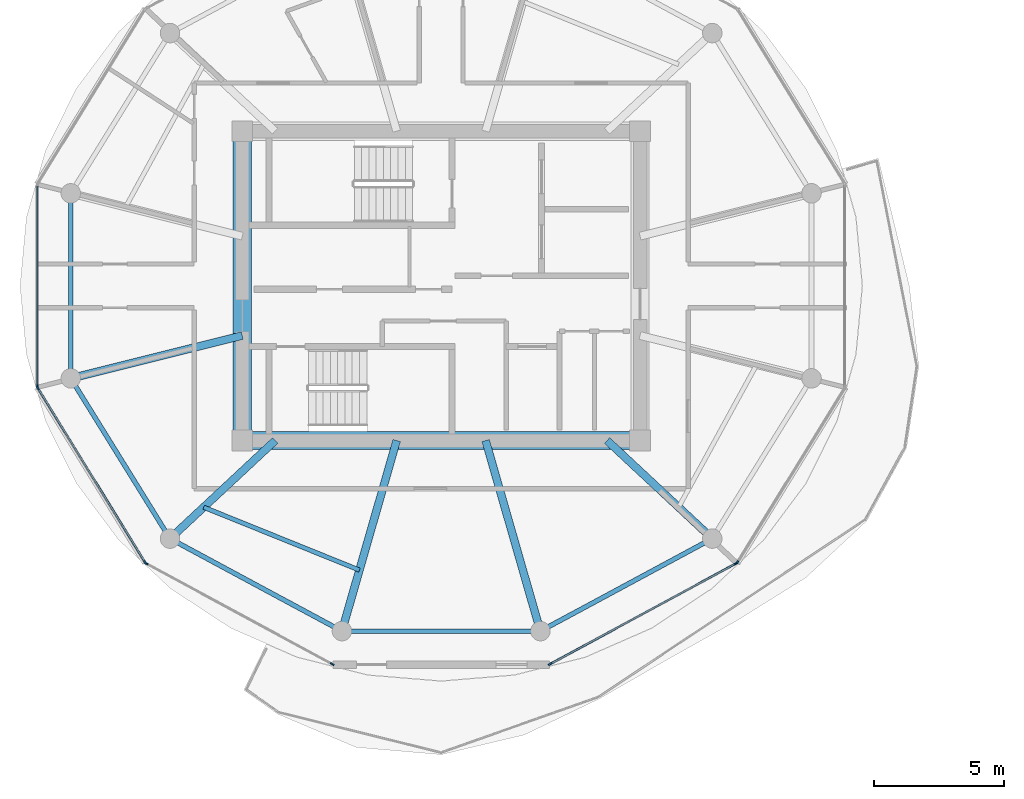
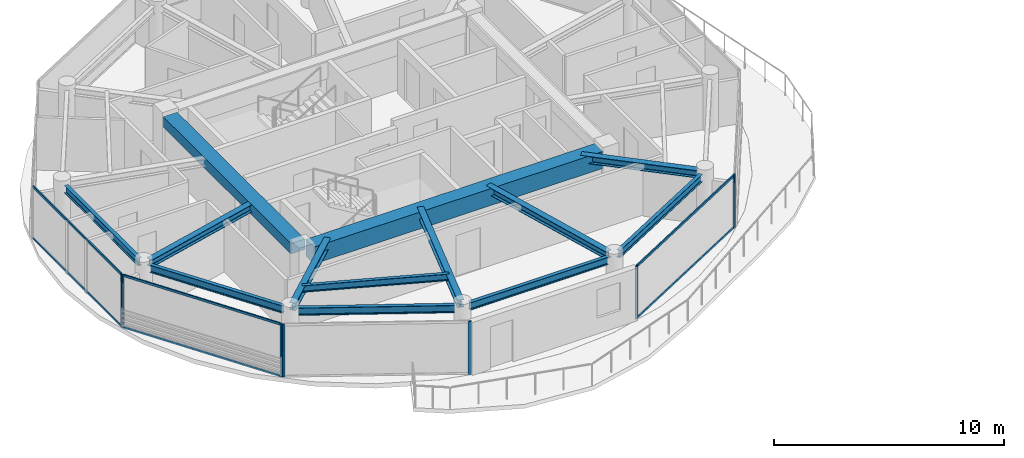
# One storey, part 2 of 19: 14 members, 13 beams, 5 elements without a shape of their own.
"""IFC4 building model written with IfcOpenShell, lengths in metres."""

from ifc_helpers import new_model, si_unit, direction, frame, origin, origin_2d, place, context, subcontext, project, spatial, rectangle, i_section, extrude, source, transform, mapped, material, layer, layer_set, material_profile, profile_set, type_object, type_shapes, element, aggregate, save


model = new_model("IFC4")

# Units and contexts
model_context = context("Model", 3, precision=1e-05, world=origin(), true_north=direction((0.0, 1.0)))
body_context = subcontext(model_context, "Body", "Model", "MODEL_VIEW")
ifc_project = project(units=[si_unit("LENGTHUNIT", "METRE"), si_unit("AREAUNIT", "SQUARE_METRE"), si_unit("VOLUMEUNIT", "CUBIC_METRE"), si_unit("PLANEANGLEUNIT", "RADIAN"), si_unit("MASSUNIT", "GRAM", prefix="KILO")], contexts=[model_context])

# Site, building, storey
site_placement = place(None, origin())
site = spatial("IfcSite", under=ifc_project, at=site_placement, CompositionType="ELEMENT")
building_placement = place(site_placement, origin())
building = spatial("IfcBuilding", under=site, at=building_placement, Name="Norrkilde Senior Care Towers", CompositionType="ELEMENT")
storey_placement = place(building_placement, frame((0.0, 0.0, 238.300048828125)))
storey = spatial("IfcBuildingStorey", under=building, at=storey_placement, Name="L74", CompositionType="ELEMENT", Elevation=238.300048828125)

# Beams
ifc_material_1 = material(Name="Concrete C60/75", Category="concrete")
ifc_material_profile_1 = material_profile(ifc_material_1, rectangle(XDim=0.699951171875, YDim=0.89990234375, at=origin_2d()), Name="RC BM 700x900")
ifc_profile_set_1 = profile_set([ifc_material_profile_1], Name="Concrete C60/75")
beam_type_1 = type_object("IfcBeamType", Name="Core Coupling Girder 700x900", PredefinedType="USERDEFINED", material=ifc_profile_set_1)
shared_shape_1 = source(origin(), body_context, "Body", "SweptSolid", [
    extrude(rectangle(XDim=0.699951171875, YDim=0.89990234375, at=origin_2d()), origin(), (0.0, 0.0, 1.0), 14.5400390625),
])
type_shapes(beam_type_1, [shared_shape_1])
beam_1_placement = place(storey_placement, frame((-35.27001953125, -5.949951171875, 2.35986328125), z_axis=(1.0, 0.0, 0.0), x_axis=(0.0, 1.0, 0.0)))
element("IfcBeam", 1, at=beam_1_placement, inside=storey, type_object=beam_type_1, Name="L74 Core W S Coupling Girder", ObjectType="GIRDER", PredefinedType="USERDEFINED", context=body_context, shape_type="MappedRepresentation", body=[
    mapped(shared_shape_1, transform((0.0, 0.0, 0.0), x_axis=(1.0, 0.0, 0.0), y_axis=(0.0, 1.0, 0.0), z_axis=(0.0, 0.0, 1.0), scale=1.0)),
])
ifc_material_profile_2 = material_profile(ifc_material_1, rectangle(XDim=0.699951171875, YDim=0.550048828125, at=origin_2d()), Name="RC BM 700x550")
ifc_profile_set_2 = profile_set([ifc_material_profile_2], Name="Concrete C60/75")
beam_type_2 = type_object("IfcBeamType", Name="Core Portal Coupling Beam 700x550", PredefinedType="USERDEFINED", material=ifc_profile_set_2)
shared_shape_2 = source(origin(), body_context, "Body", "SweptSolid", [
    extrude(rectangle(XDim=0.699951171875, YDim=0.550048828125, at=origin_2d()), origin(), (0.0, 0.0, 1.0), 11.14013671875),
])
type_shapes(beam_type_2, [shared_shape_2])
beam_2_placement = place(storey_placement, frame((-35.64990234375, -5.570068359375, 2.534912109375), z_axis=(0.0, 1.0, 0.0), x_axis=(-1.0, 0.0, 0.0)))
element("IfcBeam", 2, at=beam_2_placement, inside=storey, type_object=beam_type_2, Name="L74 Core W W Coupling Girder", ObjectType="GIRDER", PredefinedType="USERDEFINED", context=body_context, shape_type="MappedRepresentation", body=[
    mapped(shared_shape_2, transform((0.0, 0.0, 0.0), x_axis=(1.0, 0.0, 0.0), y_axis=(0.0, 1.0, 0.0), z_axis=(0.0, 0.0, 1.0), scale=1.0)),
])
ifc_material_2 = material(Name="Steel S355", Category="steel")
ifc_material_profile_3 = material_profile(ifc_material_2, i_section(OverallWidth=0.179931640625, OverallDepth=0.39990234375, WebThickness=0.008544921875, FlangeThickness=0.013427734375, FilletRadius=0.02099609375, at=origin_2d()), Name="IPE 400")
ifc_profile_set_3 = profile_set([ifc_material_profile_3], Name="Steel S355")
beam_type_3 = type_object("IfcBeamType", Name="Perimeter Ring Spandrel Z4 IPE400", PredefinedType="SPANDREL", material=ifc_profile_set_3)
shared_shape_3 = source(origin(), body_context, "Body", "SweptSolid", [
    extrude(i_section(OverallWidth=0.179931640625, OverallDepth=0.39990234375, WebThickness=0.008544921875, FlangeThickness=0.013427734375, FilletRadius=0.02099609375, at=origin_2d()), origin(), (0.0, 0.0, 1.0), 6.58056640625),
])
beam_3_placement = place(storey_placement, frame((-42.071044921875, -3.843505859375, 2.60986328125), z_axis=(0.526529583789, -0.850156807533, 0.0), x_axis=(0.850156807533, 0.526529583789, 0.0)))
element("IfcBeam", 3, at=beam_3_placement, inside=storey, type_object=beam_type_3, Name="L74 Drum W Perimeter Spandrel 07", PredefinedType="SPANDREL", context=body_context, shape_type="MappedRepresentation", body=[
    mapped(shared_shape_3, transform((0.0, 0.0, 0.0), x_axis=(1.0, 0.0, 0.0), y_axis=(0.0, 1.0, 0.0), z_axis=(0.0, 0.0, 1.0), scale=1.0)),
])
ifc_material_profile_4 = material_profile(ifc_material_2, i_section(OverallWidth=0.300048828125, OverallDepth=0.39990234375, WebThickness=0.013427734375, FlangeThickness=0.02392578125, FilletRadius=0.027099609375, at=origin_2d()), Name="HEB 400")
ifc_profile_set_4 = profile_set([ifc_material_profile_4], Name="Steel S355")
beam_type_4 = type_object("IfcBeamType", Name="Radial Floor Beam Z4 HEB400", PredefinedType="BEAM", material=ifc_profile_set_4)
shared_shape_4 = source(origin(), body_context, "Body", "SweptSolid", [
    extrude(i_section(OverallWidth=0.300048828125, OverallDepth=0.39990234375, WebThickness=0.013427734375, FlangeThickness=0.02392578125, FilletRadius=0.027099609375, at=origin_2d()), origin(), (0.0, 0.0, 1.0), 6.465087890625),
])
beam_4_placement = place(storey_placement, frame((-35.64990234375, -1.910888671875, 2.60986328125), z_axis=(-0.970195788563, -0.242322371758, 0.0), x_axis=(0.242322371758, -0.970195788563, 0.0)))
element("IfcBeam", 4, at=beam_4_placement, inside=storey, type_object=beam_type_4, Name="L74 Drum W Radial Floor Beam 07", PredefinedType="BEAM", context=body_context, shape_type="MappedRepresentation", body=[
    mapped(shared_shape_4, transform((0.0, 0.0, 0.0), x_axis=(1.0, 0.0, 0.0), y_axis=(0.0, 1.0, 0.0), z_axis=(0.0, 0.0, 1.0), scale=1.0)),
])
shared_shape_5 = source(origin(), body_context, "Body", "SweptSolid", [
    extrude(i_section(OverallWidth=0.179931640625, OverallDepth=0.39990234375, WebThickness=0.008544921875, FlangeThickness=0.013427734375, FilletRadius=0.02099609375, at=origin_2d()), origin(), (0.0, 0.0, 1.0), 6.839111328125),
])
for number, where, z_axis, x_axis, name in (
    (5, (-38.134765625, -9.881591796875, 2.60986328125), (0.880563930732, -0.473927382511, 0.0), (0.473927382511, 0.880563930732, 0.0), "L74 Drum W Perimeter Spandrel 08"),
    (6, (-23.887451171875, -13.122802734375, 2.60986328125), (0.880563930732, 0.473927382511, 0.0), (-0.473927382511, 0.880563930732, 0.0), "L74 Drum W Perimeter Spandrel 10"),
):
    element("IfcBeam", number, at=place(storey_placement, frame(where, z_axis=z_axis, x_axis=x_axis)), inside=storey, type_object=beam_type_3, Name=name, PredefinedType="SPANDREL", context=body_context, shape_type="MappedRepresentation", body=[
        mapped(shared_shape_5, transform((0.0, 0.0, 0.0), x_axis=(1.0, 0.0, 0.0), y_axis=(0.0, 1.0, 0.0), z_axis=(0.0, 0.0, 1.0), scale=1.0)),
    ])
shared_shape_6 = source(origin(), body_context, "Body", "SweptSolid", [
    extrude(i_section(OverallWidth=0.300048828125, OverallDepth=0.39990234375, WebThickness=0.013427734375, FlangeThickness=0.02392578125, FilletRadius=0.027099609375, at=origin_2d()), origin(), (0.0, 0.0, 1.0), 5.197998046875),
])
for number, where, z_axis, x_axis, name in (
    (7, (-34.3828125, -5.949951171875, 2.60986328125), (-0.731448749334, -0.681896419625, 0.0), (0.681896419625, -0.731448749334, 0.0), "L74 Drum W Radial Floor Beam 08"),
    (8, (-21.6171875, -5.949951171875, 2.60986328125), (0.731448749334, -0.681896419625, 0.0), (0.681896419625, 0.731448749334, 0.0), "L74 Drum W Radial Floor Beam 11"),
):
    element("IfcBeam", number, at=place(storey_placement, frame(where, z_axis=z_axis, x_axis=x_axis)), inside=storey, type_object=beam_type_4, Name=name, PredefinedType="BEAM", context=body_context, shape_type="MappedRepresentation", body=[
        mapped(shared_shape_6, transform((0.0, 0.0, 0.0), x_axis=(1.0, 0.0, 0.0), y_axis=(0.0, 1.0, 0.0), z_axis=(0.0, 0.0, 1.0), scale=1.0)),
    ])
shared_shape_7 = source(origin(), body_context, "Body", "SweptSolid", [
    extrude(i_section(OverallWidth=0.179931640625, OverallDepth=0.39990234375, WebThickness=0.008544921875, FlangeThickness=0.013427734375, FilletRadius=0.02099609375, at=origin_2d()), origin(), (0.0, 0.0, 1.0), 6.96533203125),
])
beam_5_placement = place(storey_placement, frame((-31.482666015625, -13.281494140625, 2.60986328125), z_axis=(1.0, 0.0, 0.0), x_axis=(0.0, 1.0, 0.0)))
element("IfcBeam", 9, at=beam_5_placement, inside=storey, type_object=beam_type_3, Name="L74 Drum W Perimeter Spandrel 09", PredefinedType="SPANDREL", context=body_context, shape_type="MappedRepresentation", body=[
    mapped(shared_shape_7, transform((0.0, 0.0, 0.0), x_axis=(1.0, 0.0, 0.0), y_axis=(0.0, 1.0, 0.0), z_axis=(0.0, 0.0, 1.0), scale=1.0)),
])
shared_shape_8 = source(origin(), body_context, "Body", "SweptSolid", [
    extrude(i_section(OverallWidth=0.300048828125, OverallDepth=0.39990234375, WebThickness=0.013427734375, FlangeThickness=0.02392578125, FilletRadius=0.027099609375, at=origin_2d()), origin(), (0.0, 0.0, 1.0), 7.29345703125),
])
type_shapes(beam_type_4, [shared_shape_4, shared_shape_6, shared_shape_8])
for number, where, z_axis, x_axis, name in (
    (10, (-29.710205078125, -5.949951171875, 2.60986328125), (-0.276263751906, -0.961081858836, 0.0), (0.961081858836, -0.276263751906, 0.0), "L74 Drum W Radial Floor Beam 09"),
    (11, (-26.289794921875, -5.949951171875, 2.60986328125), (0.276263751906, -0.961081858836, 0.0), (0.961081858836, 0.276263751906, 0.0), "L74 Drum W Radial Floor Beam 10"),
):
    element("IfcBeam", number, at=place(storey_placement, frame(where, z_axis=z_axis, x_axis=x_axis)), inside=storey, type_object=beam_type_4, Name=name, PredefinedType="BEAM", context=body_context, shape_type="MappedRepresentation", body=[
        mapped(shared_shape_8, transform((0.0, 0.0, 0.0), x_axis=(1.0, 0.0, 0.0), y_axis=(0.0, 1.0, 0.0), z_axis=(0.0, 0.0, 1.0), scale=1.0)),
    ])
shared_shape_9 = source(origin(), body_context, "Body", "SweptSolid", [
    extrude(i_section(OverallWidth=0.179931640625, OverallDepth=0.39990234375, WebThickness=0.008544921875, FlangeThickness=0.013427734375, FilletRadius=0.02099609375, at=origin_2d()), origin(), (0.0, 0.0, 1.0), 6.44775390625),
])
type_shapes(beam_type_3, [shared_shape_3, shared_shape_5, shared_shape_7, shared_shape_9])
beam_6_placement = place(storey_placement, frame((-42.247314453125, 3.223876953125, 2.60986328125), z_axis=(0.0, -1.0, 0.0), x_axis=(1.0, 0.0, 0.0)))
element("IfcBeam", 12, at=beam_6_placement, inside=storey, type_object=beam_type_3, Name="L74 Drum W Perimeter Spandrel 06", PredefinedType="SPANDREL", context=body_context, shape_type="MappedRepresentation", body=[
    mapped(shared_shape_9, transform((0.0, 0.0, 0.0), x_axis=(1.0, 0.0, 0.0), y_axis=(0.0, 1.0, 0.0), z_axis=(0.0, 0.0, 1.0), scale=1.0)),
])
ifc_material_profile_5 = material_profile(ifc_material_2, i_section(OverallWidth=0.169921875, OverallDepth=0.360107421875, WebThickness=0.008056640625, FlangeThickness=0.0126953125, FilletRadius=0.01806640625, at=origin_2d()), Name="IPE 360")
ifc_profile_set_5 = profile_set([ifc_material_profile_5], Name="Steel S355")
beam_type_5 = type_object("IfcBeamType", Name="Secondary Floor Joist IPE360", PredefinedType="JOIST", material=ifc_profile_set_5)
shared_shape_10 = source(origin(), body_context, "Body", "SweptSolid", [
    extrude(i_section(OverallWidth=0.169921875, OverallDepth=0.360107421875, WebThickness=0.008056640625, FlangeThickness=0.0126953125, FilletRadius=0.01806640625, at=origin_2d()), origin(), (0.0, 0.0, 1.0), 6.461669921875),
])
type_shapes(beam_type_5, [shared_shape_10])
beam_7_placement = place(storey_placement, frame((-37.134765625, -8.515380859375, 2.6298828125), z_axis=(0.927225942298, -0.374502405772, 0.0), x_axis=(0.374502405772, 0.927225942298, 0.0)))
element("IfcBeam", 13, at=beam_7_placement, inside=storey, type_object=beam_type_5, Name="L74 Drum W Secondary Floor Joist 3", PredefinedType="JOIST", context=body_context, shape_type="MappedRepresentation", body=[
    mapped(shared_shape_10, transform((0.0, 0.0, 0.0), x_axis=(1.0, 0.0, 0.0), y_axis=(0.0, 1.0, 0.0), z_axis=(0.0, 0.0, 1.0), scale=1.0)),
])

# Curtain wall, member
ifc_material_3 = material(Name="Triple Low-E Insulated Glazing", Category="glass")
ifc_layer = layer(ifc_material_3, 0.18505859375)
ifc_layer_set = layer_set([ifc_layer], Name="Triple Low-E Insulated Glazing")
curtain_wall_type = type_object("IfcCurtainWallType", Name="CW6 Zone 4 Crown Pavilion Curtain Wall", PredefinedType="NOTDEFINED", material=ifc_layer_set)
curtain_wall_1_placement = place(storey_placement, origin())
curtain_wall_1 = element("IfcCurtainWall", 14, at=curtain_wall_1_placement, inside=storey, type_object=curtain_wall_type, Name="L74 Drum W Curtain Wall 05", PredefinedType="NOTDEFINED")
ifc_material_4 = material(Name="Anodised Aluminium", Category="aluminium")
ifc_material_profile_6 = material_profile(ifc_material_4, rectangle(XDim=0.06494140625, YDim=0.14990234375, at=origin_2d()), Name="ALU MULL 65x150")
ifc_profile_set_6 = profile_set([ifc_material_profile_6], Name="Anodised Aluminium")
member_type_1 = type_object("IfcMemberType", Name="Curtain Wall Mullion Z3-Z4 65x150", PredefinedType="MULLION", material=ifc_profile_set_6)
shared_shape_11 = source(origin(), body_context, "Body", "SweptSolid", [
    extrude(rectangle(XDim=0.06494140625, YDim=0.14990234375, at=origin_2d()), origin(), (0.0, 0.0, 1.0), 2.81005859375),
])
type_shapes(member_type_1, [shared_shape_11])
member_1_placement = place(storey_placement, frame((-43.531982421875, -3.87060546875, 0.0), z_axis=(0.0, 0.0, 1.0), x_axis=(-1.0, 0.0, 0.0)))
member_1 = element("IfcMember", 15, at=member_1_placement, type_object=member_type_1, Name="CW-6 mullion 1", PredefinedType="MULLION", context=body_context, shape_type="MappedRepresentation", body=[
    mapped(shared_shape_11, transform((0.0, 0.0, 0.0), x_axis=(1.0, 0.0, 0.0), y_axis=(0.0, 1.0, 0.0), z_axis=(0.0, 0.0, 1.0), scale=1.0)),
])

# Curtain wall, members
curtain_wall_2_placement = place(storey_placement, origin())
curtain_wall_2 = element("IfcCurtainWall", 16, at=curtain_wall_2_placement, inside=storey, type_object=curtain_wall_type, Name="L74 Drum W Curtain Wall 06", PredefinedType="NOTDEFINED")
member_2_placement = place(storey_placement, frame((-39.38720703125, -10.635498046875, 0.0), z_axis=(0.0, 0.0, 1.0), x_axis=(-0.851562727283, -0.524252726748, 0.0)))
member_2 = element("IfcMember", 17, at=member_2_placement, type_object=member_type_1, Name="CW-6 mullion 1", PredefinedType="MULLION", context=body_context, shape_type="MappedRepresentation", body=[
    mapped(shared_shape_11, transform((0.0, 0.0, 0.0), x_axis=(1.0, 0.0, 0.0), y_axis=(0.0, 1.0, 0.0), z_axis=(0.0, 0.0, 1.0), scale=1.0)),
])
member_3_placement = place(storey_placement, frame((-43.51513671875, -3.9306640625, 0.0), z_axis=(0.0, 0.0, 1.0), x_axis=(-0.851562727283, -0.524252726748, 0.0)))
member_3 = element("IfcMember", 18, at=member_3_placement, type_object=member_type_1, Name="CW-6 mullion 2", PredefinedType="MULLION", context=body_context, shape_type="MappedRepresentation", body=[
    mapped(shared_shape_11, transform((0.0, 0.0, 0.0), x_axis=(1.0, 0.0, 0.0), y_axis=(0.0, 1.0, 0.0), z_axis=(0.0, 0.0, 1.0), scale=1.0)),
])

curtain_wall_3_placement = place(storey_placement, origin())
curtain_wall_3 = element("IfcCurtainWall", 19, at=curtain_wall_3_placement, inside=storey, type_object=curtain_wall_type, Name="L74 Drum W Curtain Wall 07", PredefinedType="NOTDEFINED")
member_4_placement = place(storey_placement, frame((-32.1904296875, -14.55078125, 0.0), z_axis=(0.0, 0.0, 1.0), x_axis=(-0.476132676136, -0.879373455772, 0.0)))
member_4 = element("IfcMember", 20, at=member_4_placement, type_object=member_type_1, Name="CW-6 mullion 1", PredefinedType="MULLION", context=body_context, shape_type="MappedRepresentation", body=[
    mapped(shared_shape_11, transform((0.0, 0.0, 0.0), x_axis=(1.0, 0.0, 0.0), y_axis=(0.0, 1.0, 0.0), z_axis=(0.0, 0.0, 1.0), scale=1.0)),
])
member_5_placement = place(storey_placement, frame((-39.341796875, -10.6787109375, 0.0), z_axis=(0.0, 0.0, 1.0), x_axis=(-0.476132676136, -0.879373455772, 0.0)))
member_5 = element("IfcMember", 21, at=member_5_placement, type_object=member_type_1, Name="CW-6 mullion 2", PredefinedType="MULLION", context=body_context, shape_type="MappedRepresentation", body=[
    mapped(shared_shape_11, transform((0.0, 0.0, 0.0), x_axis=(1.0, 0.0, 0.0), y_axis=(0.0, 1.0, 0.0), z_axis=(0.0, 0.0, 1.0), scale=1.0)),
])
aggregate(curtain_wall_3, [member_4, member_5])

curtain_wall_4_placement = place(storey_placement, origin())
curtain_wall_4 = element("IfcCurtainWall", 22, at=curtain_wall_4_placement, inside=storey, type_object=curtain_wall_type, Name="L74 Drum W Curtain Wall 09", PredefinedType="NOTDEFINED")
member_6_placement = place(storey_placement, frame((-16.658203125, -10.6787109375, 0.0), z_axis=(0.0, 0.0, 1.0), x_axis=(0.476132676136, -0.879373455772, 0.0)))
member_6 = element("IfcMember", 23, at=member_6_placement, type_object=member_type_1, Name="CW-6 mullion 1", PredefinedType="MULLION", context=body_context, shape_type="MappedRepresentation", body=[
    mapped(shared_shape_11, transform((0.0, 0.0, 0.0), x_axis=(1.0, 0.0, 0.0), y_axis=(0.0, 1.0, 0.0), z_axis=(0.0, 0.0, 1.0), scale=1.0)),
])
member_7_placement = place(storey_placement, frame((-23.8095703125, -14.55078125, 0.0), z_axis=(0.0, 0.0, 1.0), x_axis=(0.476132676136, -0.879373455772, 0.0)))
member_7 = element("IfcMember", 24, at=member_7_placement, type_object=member_type_1, Name="CW-6 mullion 2", PredefinedType="MULLION", context=body_context, shape_type="MappedRepresentation", body=[
    mapped(shared_shape_11, transform((0.0, 0.0, 0.0), x_axis=(1.0, 0.0, 0.0), y_axis=(0.0, 1.0, 0.0), z_axis=(0.0, 0.0, 1.0), scale=1.0)),
])

# Curtain wall, member
curtain_wall_5_placement = place(storey_placement, origin())
curtain_wall_5 = element("IfcCurtainWall", 25, at=curtain_wall_5_placement, inside=storey, type_object=curtain_wall_type, Name="L74 Drum W Curtain Wall 10", PredefinedType="NOTDEFINED")
member_8_placement = place(storey_placement, frame((-16.61279296875, -10.635498046875, 0.0), z_axis=(0.0, 0.0, 1.0), x_axis=(0.851562727283, -0.524252726748, 0.0)))
member_8 = element("IfcMember", 26, at=member_8_placement, type_object=member_type_1, Name="CW-6 mullion 2", PredefinedType="MULLION", context=body_context, shape_type="MappedRepresentation", body=[
    mapped(shared_shape_11, transform((0.0, 0.0, 0.0), x_axis=(1.0, 0.0, 0.0), y_axis=(0.0, 1.0, 0.0), z_axis=(0.0, 0.0, 1.0), scale=1.0)),
])
aggregate(curtain_wall_5, [member_8])

# Member
ifc_material_profile_7 = material_profile(ifc_material_4, rectangle(XDim=0.06005859375, YDim=0.1201171875, at=origin_2d()), Name="ALU TRAN 60x120")
ifc_profile_set_7 = profile_set([ifc_material_profile_7], Name="Anodised Aluminium")
member_type_2 = type_object("IfcMemberType", Name="Curtain Wall Transom Typical 60x120", PredefinedType="USERDEFINED", material=ifc_profile_set_7)
shared_shape_12 = source(origin(), body_context, "Body", "SweptSolid", [
    extrude(rectangle(XDim=0.06005859375, YDim=0.1201171875, at=origin_2d()), origin(), (0.0, 0.0, 1.0), 7.808837890625),
])
member_9_placement = place(storey_placement, frame((-39.404296875, -10.60791015625, 0.030029296875), z_axis=(-0.524250924101, 0.851563837055, 0.0), x_axis=(-0.851563837055, -0.524250924101, 0.0)))
member_9 = element("IfcMember", 27, at=member_9_placement, type_object=member_type_2, Name="CW-6 transom 1.1", ObjectType="TRANSOM", PredefinedType="USERDEFINED", context=body_context, shape_type="MappedRepresentation", body=[
    mapped(shared_shape_12, transform((0.0, 0.0, 0.0), x_axis=(1.0, 0.0, 0.0), y_axis=(0.0, 1.0, 0.0), z_axis=(0.0, 0.0, 1.0), scale=1.0)),
])

member_10_placement = place(storey_placement, frame((-39.404296875, -10.60791015625, 2.780029296875), z_axis=(-0.524250924101, 0.851563837055, 0.0), x_axis=(-0.851563837055, -0.524250924101, 0.0)))
member_10 = element("IfcMember", 28, at=member_10_placement, type_object=member_type_2, Name="CW-6 transom 1.2", ObjectType="TRANSOM", PredefinedType="USERDEFINED", context=body_context, shape_type="MappedRepresentation", body=[
    mapped(shared_shape_12, transform((0.0, 0.0, 0.0), x_axis=(1.0, 0.0, 0.0), y_axis=(0.0, 1.0, 0.0), z_axis=(0.0, 0.0, 1.0), scale=1.0)),
])

aggregate(curtain_wall_2, [member_2, member_3, member_9, member_10])

shared_shape_13 = source(origin(), body_context, "Body", "SweptSolid", [
    extrude(rectangle(XDim=0.06005859375, YDim=0.1201171875, at=origin_2d()), origin(), (0.0, 0.0, 1.0), 8.0673828125),
])
member_11_placement = place(storey_placement, frame((-16.686767578125, -10.694091796875, 0.030029296875), z_axis=(-0.87937750072, -0.476125205411, 0.0), x_axis=(0.476125205411, -0.87937750072, 0.0)))
member_11 = element("IfcMember", 29, at=member_11_placement, type_object=member_type_2, Name="CW-6 transom 1.1", ObjectType="TRANSOM", PredefinedType="USERDEFINED", context=body_context, shape_type="MappedRepresentation", body=[
    mapped(shared_shape_13, transform((0.0, 0.0, 0.0), x_axis=(1.0, 0.0, 0.0), y_axis=(0.0, 1.0, 0.0), z_axis=(0.0, 0.0, 1.0), scale=1.0)),
])

member_12_placement = place(storey_placement, frame((-16.686767578125, -10.694091796875, 2.780029296875), z_axis=(-0.87937750072, -0.476125205411, 0.0), x_axis=(0.476125205411, -0.87937750072, 0.0)))
member_12 = element("IfcMember", 30, at=member_12_placement, type_object=member_type_2, Name="CW-6 transom 1.2", ObjectType="TRANSOM", PredefinedType="USERDEFINED", context=body_context, shape_type="MappedRepresentation", body=[
    mapped(shared_shape_13, transform((0.0, 0.0, 0.0), x_axis=(1.0, 0.0, 0.0), y_axis=(0.0, 1.0, 0.0), z_axis=(0.0, 0.0, 1.0), scale=1.0)),
])

aggregate(curtain_wall_4, [member_6, member_7, member_11, member_12])

shared_shape_14 = source(origin(), body_context, "Body", "SweptSolid", [
    extrude(rectangle(XDim=0.06005859375, YDim=0.1201171875, at=origin_2d()), origin(), (0.0, 0.0, 1.0), 7.67578125),
])
type_shapes(member_type_2, [shared_shape_12, shared_shape_13, shared_shape_14])
member_13_placement = place(storey_placement, frame((-43.531982421875, -3.837890625, 0.030029296875), z_axis=(0.0, 1.0, 0.0), x_axis=(-1.0, 0.0, 0.0)))
member_13 = element("IfcMember", 31, at=member_13_placement, type_object=member_type_2, Name="CW-6 transom 1.1", ObjectType="TRANSOM", PredefinedType="USERDEFINED", context=body_context, shape_type="MappedRepresentation", body=[
    mapped(shared_shape_14, transform((0.0, 0.0, 0.0), x_axis=(1.0, 0.0, 0.0), y_axis=(0.0, 1.0, 0.0), z_axis=(0.0, 0.0, 1.0), scale=1.0)),
])

member_14_placement = place(storey_placement, frame((-43.531982421875, -3.837890625, 2.780029296875), z_axis=(0.0, 1.0, 0.0), x_axis=(-1.0, 0.0, 0.0)))
member_14 = element("IfcMember", 32, at=member_14_placement, type_object=member_type_2, Name="CW-6 transom 1.2", ObjectType="TRANSOM", PredefinedType="USERDEFINED", context=body_context, shape_type="MappedRepresentation", body=[
    mapped(shared_shape_14, transform((0.0, 0.0, 0.0), x_axis=(1.0, 0.0, 0.0), y_axis=(0.0, 1.0, 0.0), z_axis=(0.0, 0.0, 1.0), scale=1.0)),
])

aggregate(curtain_wall_1, [member_1, member_13, member_14])

save(model, "model.ifc")
